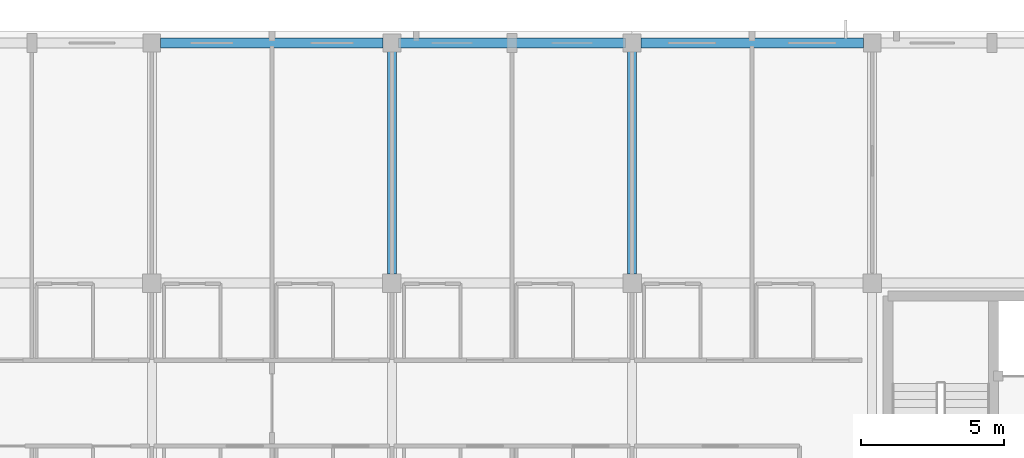
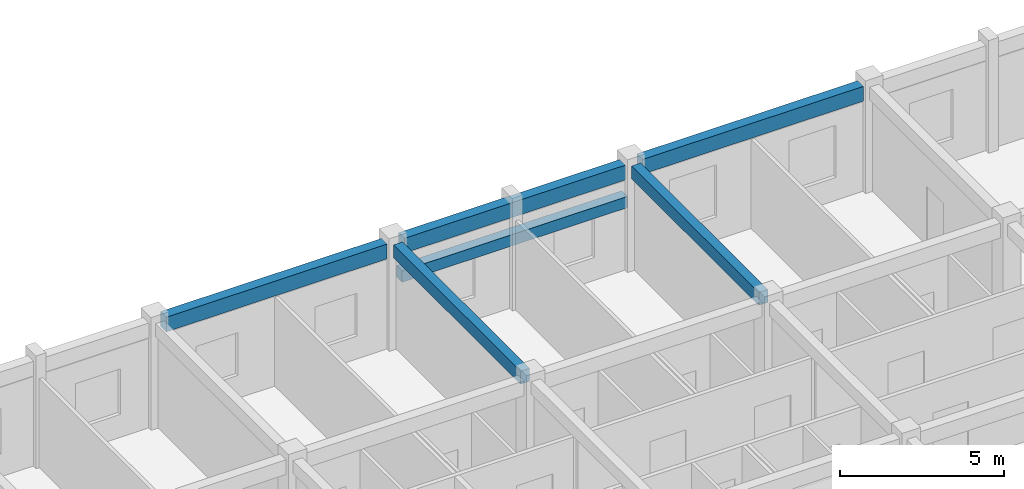
# One storey, part 43 of 81: 6 beams.
"""IFC4 building model written with IfcOpenShell, lengths in metres."""

from ifc_helpers import new_model, si_unit, direction, frame, origin, origin_2d, place, context, subcontext, project, spatial, rectangle, extrude, material, material_profile, profile_set, type_object, element, save


model = new_model("IFC4")

# Units and contexts
model_context = context("Model", 3, precision=1e-05, world=origin(), true_north=direction((0.0, 1.0)))
body_context = subcontext(model_context, "Body", "Model", "MODEL_VIEW")
ifc_project = project(units=[si_unit("LENGTHUNIT", "METRE"), si_unit("AREAUNIT", "SQUARE_METRE"), si_unit("VOLUMEUNIT", "CUBIC_METRE"), si_unit("PLANEANGLEUNIT", "RADIAN"), si_unit("MASSUNIT", "GRAM", prefix="KILO")], contexts=[model_context])

# Site, building, storey
site_placement = place(None, origin())
site = spatial("IfcSite", under=ifc_project, at=site_placement, CompositionType="ELEMENT")
building_placement = place(site_placement, origin())
building = spatial("IfcBuilding", under=site, at=building_placement, Name="Trelvath General Hospital", CompositionType="ELEMENT")
storey_placement = place(building_placement, frame((0.0, 0.0, 24.60009765625)))
storey = spatial("IfcBuildingStorey", under=building, at=storey_placement, Name="L06", CompositionType="ELEMENT", Elevation=24.60009765625)

# Beams
ifc_material_1 = material(Name="Concrete C35/45", Category="concrete")
ifc_material_profile_1 = material_profile(ifc_material_1, rectangle(XDim=0.320068359375, YDim=0.47998046875, at=origin_2d()), Name="RCB320x480")
ifc_profile_set_1 = profile_set([ifc_material_profile_1], Name="Concrete C35/45")
beam_type_1 = type_object("IfcBeamType", Name="Beam RC320x480", PredefinedType="BEAM", material=ifc_profile_set_1)
for number, where, z_axis, x_axis, name in (
    (1, (67.199951171875, 109.52001953125, 3.679931640625), (0.0, 1.0, 0.0), (-1.0, 0.0, 0.0), "Grid Beam BY-608N"),
    (2, (75.60009765625, 109.52001953125, 3.679931640625), (0.0, 1.0, 0.0), (-1.0, 0.0, 0.0), "Grid Beam BY-609N"),
):
    element("IfcBeam", number, at=place(storey_placement, frame(where, z_axis=z_axis, x_axis=x_axis)), inside=storey, type_object=beam_type_1, Name=name, PredefinedType="BEAM", context=body_context, shape_type="SweptSolid", body=[
        extrude(rectangle(XDim=0.320068359375, YDim=0.47998046875, at=origin_2d()), origin(), (0.0, 0.0, 1.0), 7.77490234375),
    ])
ifc_material_2 = material(Name="Concrete C35/45", Category="concrete")
ifc_material_profile_2 = material_profile(ifc_material_2, rectangle(XDim=0.35009765625, YDim=0.550048828125, at=origin_2d()), Name="RCB350x550")
ifc_profile_set_2 = profile_set([ifc_material_profile_2], Name="Concrete C35/45")
beam_type_2 = type_object("IfcBeamType", Name="Beam RC350x550", PredefinedType="BEAM", material=ifc_profile_set_2)
for number, where, z_axis, x_axis, name in (
    (3, (59.10498046875, 117.60009765625, 3.64501953125), (1.0, 0.0, 0.0), (0.0, 1.0, 0.0), "Grid Beam BX-607O"),
    (4, (67.5048828125, 117.60009765625, 3.64501953125), (1.0, 0.0, 0.0), (0.0, 1.0, 0.0), "Grid Beam BX-608O"),
    (5, (75.905029296875, 117.60009765625, 3.64501953125), (1.0, 0.0, 0.0), (0.0, 1.0, 0.0), "Grid Beam BX-609O"),
):
    element("IfcBeam", number, at=place(storey_placement, frame(where, z_axis=z_axis, x_axis=x_axis)), inside=storey, type_object=beam_type_2, Name=name, PredefinedType="BEAM", context=body_context, shape_type="SweptSolid", body=[
        extrude(rectangle(XDim=0.35009765625, YDim=0.550048828125, at=origin_2d()), origin(), (0.0, 0.0, 1.0), 7.7900390625),
    ])
ifc_material_3 = material(Name="Precast concrete C40/50", Category="concrete")
ifc_material_profile_3 = material_profile(ifc_material_3, rectangle(XDim=0.35009765625, YDim=0.419921875, at=origin_2d()), Name="PCL350x420")
ifc_profile_set_3 = profile_set([ifc_material_profile_3], Name="Precast concrete C40/50")
beam_type_3 = type_object("IfcBeamType", Name="Lintel PC350x420", PredefinedType="LINTEL", material=ifc_profile_set_3)
beam_placement = place(storey_placement, frame((67.425048828125, 117.60009765625, 2.52001953125), z_axis=(1.0, 0.0, 0.0), x_axis=(0.0, 1.0, 0.0)))
element("IfcBeam", 6, at=beam_placement, inside=storey, type_object=beam_type_3, Name="Precast Window Brow Lintel L06-573", PredefinedType="LINTEL", context=body_context, shape_type="SweptSolid", body=[
    extrude(rectangle(XDim=0.35009765625, YDim=0.419921875, at=origin_2d()), origin(), (0.0, 0.0, 1.0), 7.949951171875),
])

save(model, "model.ifc")
